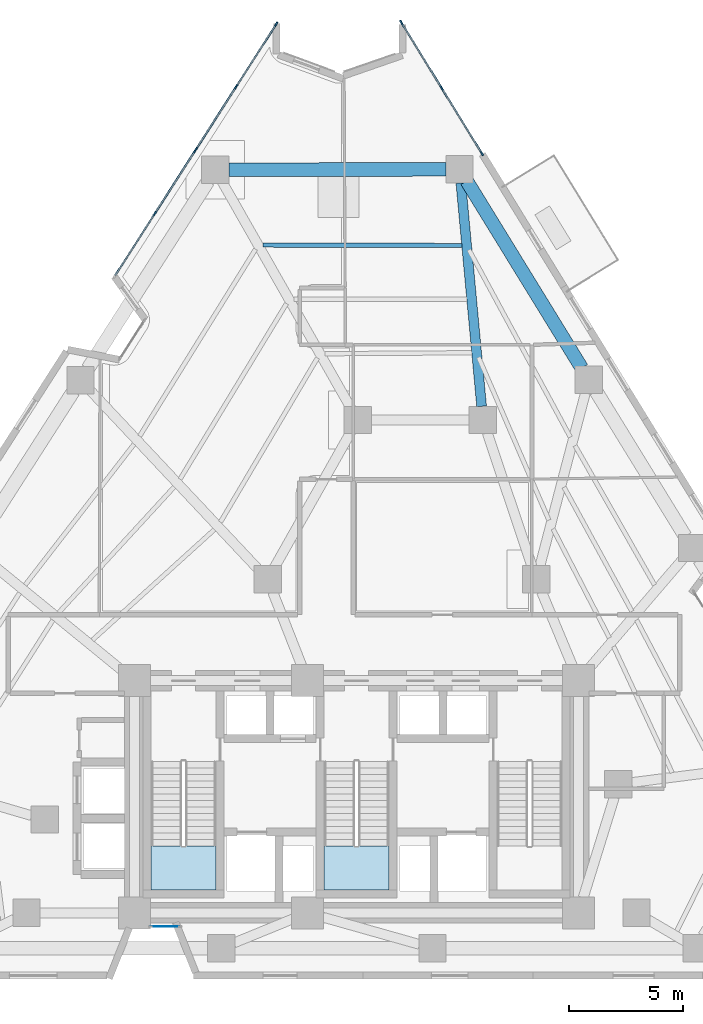
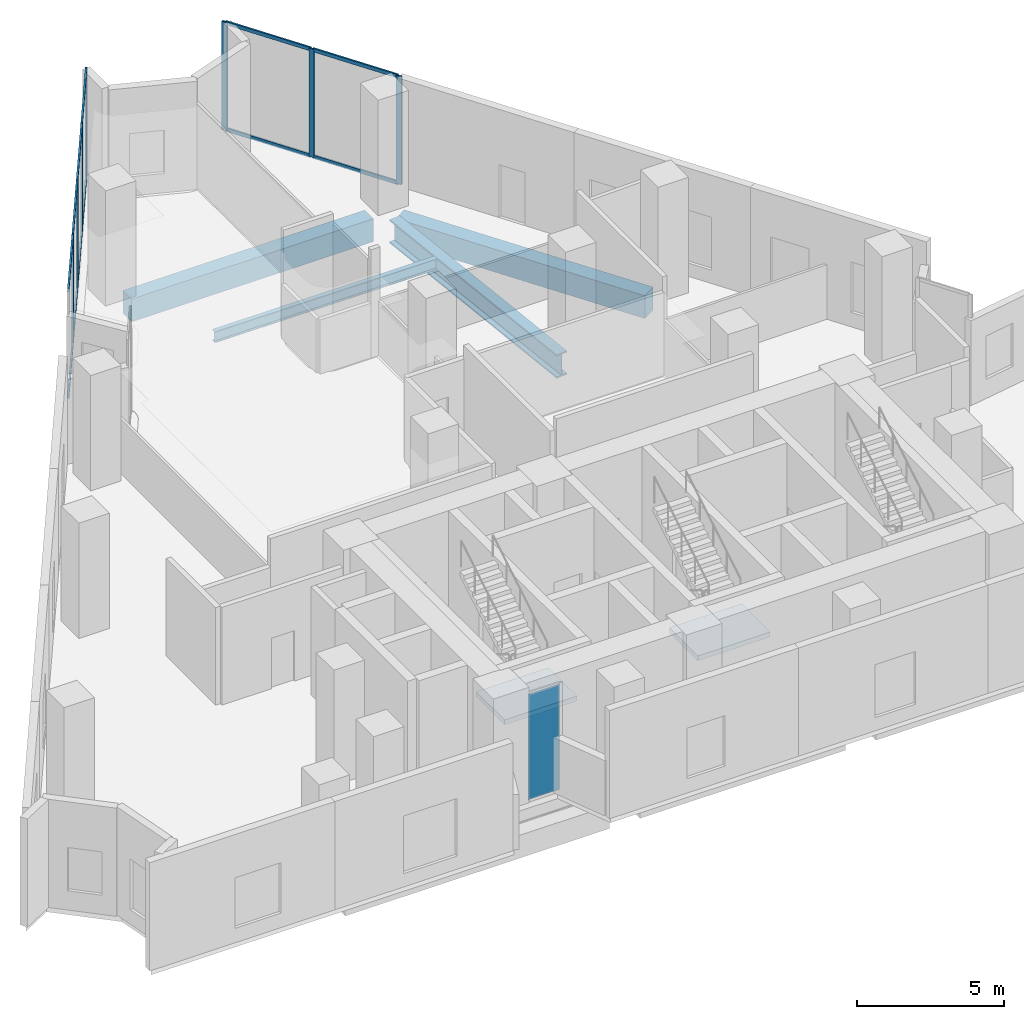
# One storey, part 5 of 13: 20 members, 4 beams, 2 slabs, 1 plate, 6 elements without a shape of their own.
"""IFC4 building model written with IfcOpenShell, lengths in metres."""

from ifc_helpers import new_model, si_unit, direction, frame, origin, origin_2d, place, context, subcontext, project, spatial, polyline, rectangle, i_section, outline, extrude, material, layer, layer_set, material_profile, profile_set, type_object, element, aggregate, save


model = new_model("IFC4")

# Units and contexts
model_context = context("Model", 3, precision=1e-05, world=origin(), true_north=direction((0.0, 1.0)))
body_context = subcontext(model_context, "Body", "Model", "MODEL_VIEW")
ifc_project = project(units=[si_unit("LENGTHUNIT", "METRE"), si_unit("AREAUNIT", "SQUARE_METRE"), si_unit("VOLUMEUNIT", "CUBIC_METRE"), si_unit("PLANEANGLEUNIT", "RADIAN"), si_unit("MASSUNIT", "GRAM", prefix="KILO")], contexts=[model_context])

# Site, building, storey
site_placement = place(None, origin())
site = spatial("IfcSite", under=ifc_project, at=site_placement, CompositionType="ELEMENT")
building_placement = place(site_placement, origin())
building = spatial("IfcBuilding", under=site, at=building_placement, Name="Almagre Mirador Tower", CompositionType="ELEMENT")
storey_placement = place(building_placement, frame((0.0, 0.0, 100.199951171875)))
storey = spatial("IfcBuildingStorey", under=building, at=storey_placement, Name="L25", CompositionType="ELEMENT", Elevation=100.199951171875)

# Beams
ifc_material_1 = material(Name="Steel ASTM A992 Grade 50", Category="steel")
ifc_material_profile_1 = material_profile(ifc_material_1, i_section(OverallWidth=0.19091796875, OverallDepth=0.4599609375, WebThickness=0.010009765625, FlangeThickness=0.01611328125, FilletRadius=0.01611328125, at=origin_2d()), Name="W18X55")
ifc_profile_set_1 = profile_set([ifc_material_profile_1], Name="Steel ASTM A992 Grade 50")
beam_type_1 = type_object("IfcBeamType", Name="BM-JST-W18X55", PredefinedType="JOIST", material=ifc_profile_set_1)
beam_1_placement = place(storey_placement, frame((41.923095703125, 33.86328125, -0.530029296875), z_axis=(-0.999997681519, 0.00215335929, 0.0), x_axis=(-0.00215335929, -0.999997681519, 0.0)))
element("IfcBeam", 1, at=beam_1_placement, inside=storey, type_object=beam_type_1, Name="L25 secondary floor joist PC08-PC09.1", PredefinedType="JOIST", context=body_context, shape_type="SweptSolid", body=[
    extrude(i_section(OverallWidth=0.19091796875, OverallDepth=0.4599609375, WebThickness=0.010009765625, FlangeThickness=0.01611328125, FilletRadius=0.01611328125, at=origin_2d()), origin(), (0.0, 0.0, 1.0), 8.72998046875),
])
ifc_material_2 = material(Name="Precast concrete C50/60", Category="concrete")
ifc_material_profile_2 = material_profile(ifc_material_2, rectangle(XDim=0.60009765625, YDim=0.949951171875, at=origin_2d()), Name="RC600X950")
ifc_profile_set_2 = profile_set([ifc_material_profile_2], Name="Precast concrete C50/60")
beam_type_2 = type_object("IfcBeamType", Name="BM-SPN-RC600X950", PredefinedType="SPANDREL", material=ifc_profile_set_2)
beam_2_placement = place(storey_placement, frame((47.19189453125, 28.47900390625, -0.77490234375), z_axis=(-0.523685040843, 0.851911954369, 0.0), x_axis=(-0.851911954369, -0.523685040843, 0.0)))
element("IfcBeam", 2, at=beam_2_placement, inside=storey, type_object=beam_type_2, Name="L25 perimeter spandrel beam PC07-PC08", PredefinedType="SPANDREL", context=body_context, shape_type="SweptSolid", body=[
    extrude(rectangle(XDim=0.60009765625, YDim=0.949951171875, at=origin_2d()), origin(), (0.0, 0.0, 1.0), 9.646484375),
])
beam_3_placement = place(storey_placement, frame((41.22607421875, 37.206787109375, -0.77490234375), z_axis=(-0.999998482053, -0.001742380833, 0.0), x_axis=(0.001742380833, -0.999998482053, 0.0)))
element("IfcBeam", 3, at=beam_3_placement, inside=storey, type_object=beam_type_2, Name="L25 perimeter spandrel beam PC08-PC09", PredefinedType="SPANDREL", context=body_context, shape_type="SweptSolid", body=[
    extrude(rectangle(XDim=0.60009765625, YDim=0.949951171875, at=origin_2d()), origin(), (0.0, 0.0, 1.0), 9.528076171875),
])
ifc_material_3 = material(Name="Steel ASTM A992 Grade 50", Category="steel")
ifc_material_profile_3 = material_profile(ifc_material_3, i_section(OverallWidth=0.427978515625, OverallDepth=0.97509765625, WebThickness=0.031005859375, FlangeThickness=0.055908203125, FilletRadius=0.028076171875, at=origin_2d()), Name="W36X395")
ifc_profile_set_3 = profile_set([ifc_material_profile_3], Name="Steel ASTM A992 Grade 50")
beam_type_3 = type_object("IfcBeamType", Name="BM-STL-W36X395", PredefinedType="BEAM", material=ifc_profile_set_3)
beam_4_placement = place(storey_placement, frame((41.881591796875, 36.610595703125, -0.787353515625), z_axis=(0.092621655493, -0.99570137538, 0.0), x_axis=(0.99570137538, 0.092621655493, 0.0)))
element("IfcBeam", 4, at=beam_4_placement, inside=storey, type_object=beam_type_3, Name="L25 radial floor girder PC08-MC6", PredefinedType="BEAM", context=body_context, shape_type="SweptSolid", body=[
    extrude(i_section(OverallWidth=0.427978515625, OverallDepth=0.97509765625, WebThickness=0.031005859375, FlangeThickness=0.055908203125, FilletRadius=0.028076171875, at=origin_2d()), origin(), (0.0, 0.0, 1.0), 9.855712890625),
])

# Curtain wall, members
ifc_material_4 = material(Name="Black anodized aluminium", Category="aluminium")
ifc_layer_1 = layer(ifc_material_4, 0.22998046875)
ifc_layer_set_1 = layer_set([ifc_layer_1], Name="Black anodized aluminium")
curtain_wall_type_1 = type_object("IfcCurtainWallType", Name="CW-SKY-SYS", PredefinedType="NOTDEFINED", material=ifc_layer_set_1)
curtain_wall_1_placement = place(storey_placement, origin())
curtain_wall_1 = element("IfcCurtainWall", 5, at=curtain_wall_1_placement, inside=storey, type_object=curtain_wall_type_1, Name="L25 curtain wall run 02", PredefinedType="NOTDEFINED")
ifc_material_5 = material(Name="Black anodized aluminium", Category="aluminium")
ifc_material_profile_4 = material_profile(ifc_material_5, rectangle(XDim=0.070068359375, YDim=0.2099609375, at=origin_2d()), Name="CWM70X210")
ifc_profile_set_4 = profile_set([ifc_material_profile_4], Name="Black anodized aluminium")
member_type_1 = type_object("IfcMemberType", Name="MBR-CWM70X210", PredefinedType="MULLION", material=ifc_profile_set_4)
member_1_placement = place(storey_placement, frame((28.446044921875, 35.273681640625, 0.0), z_axis=(0.0, 0.0, 1.0), x_axis=(-0.841991035603, 0.539491516118, 0.0)))
member_1 = element("IfcMember", 6, at=member_1_placement, type_object=member_type_1, Name="CW-5 mullion 2", PredefinedType="MULLION", context=body_context, shape_type="SweptSolid", body=[
    extrude(rectangle(XDim=0.070068359375, YDim=0.2099609375, at=origin_2d()), origin(), (0.0, 0.0, 1.0), 4.5),
])
member_2_placement = place(storey_placement, frame((30.210205078125, 38.027099609375, 0.0), z_axis=(0.0, 0.0, 1.0), x_axis=(-0.841991035603, 0.539491516118, 0.0)))
member_2 = element("IfcMember", 7, at=member_2_placement, type_object=member_type_1, Name="CW-5 mullion 3", PredefinedType="MULLION", context=body_context, shape_type="SweptSolid", body=[
    extrude(rectangle(XDim=0.070068359375, YDim=0.2099609375, at=origin_2d()), origin(), (0.0, 0.0, 1.0), 4.5),
])

curtain_wall_2_placement = place(storey_placement, origin())
curtain_wall_2 = element("IfcCurtainWall", 8, at=curtain_wall_2_placement, inside=storey, type_object=curtain_wall_type_1, Name="L25 curtain wall run 03", PredefinedType="NOTDEFINED")
member_3_placement = place(storey_placement, frame((30.247802734375, 38.0859375, 0.0), z_axis=(0.0, 0.0, 1.0), x_axis=(-0.841991035603, 0.539491516118, 0.0)))
member_3 = element("IfcMember", 9, at=member_3_placement, type_object=member_type_1, Name="CW-5 mullion 1", PredefinedType="MULLION", context=body_context, shape_type="SweptSolid", body=[
    extrude(rectangle(XDim=0.070068359375, YDim=0.2099609375, at=origin_2d()), origin(), (0.0, 0.0, 1.0), 4.5),
])
member_4_placement = place(storey_placement, frame((32.011962890625, 40.83935546875, 0.0), z_axis=(0.0, 0.0, 1.0), x_axis=(-0.841991035603, 0.539491516118, 0.0)))
member_4 = element("IfcMember", 10, at=member_4_placement, type_object=member_type_1, Name="CW-5 mullion 2", PredefinedType="MULLION", context=body_context, shape_type="SweptSolid", body=[
    extrude(rectangle(XDim=0.070068359375, YDim=0.2099609375, at=origin_2d()), origin(), (0.0, 0.0, 1.0), 4.5),
])
member_5_placement = place(storey_placement, frame((33.776123046875, 43.592529296875, 0.0), z_axis=(0.0, 0.0, 1.0), x_axis=(-0.841991035603, 0.539491516118, 0.0)))
member_5 = element("IfcMember", 11, at=member_5_placement, type_object=member_type_1, Name="CW-5 mullion 3", PredefinedType="MULLION", context=body_context, shape_type="SweptSolid", body=[
    extrude(rectangle(XDim=0.070068359375, YDim=0.2099609375, at=origin_2d()), origin(), (0.0, 0.0, 1.0), 4.5),
])

curtain_wall_3_placement = place(storey_placement, origin())
curtain_wall_3 = element("IfcCurtainWall", 12, at=curtain_wall_3_placement, inside=storey, type_object=curtain_wall_type_1, Name="L25 curtain wall run 04", PredefinedType="NOTDEFINED")
member_6_placement = place(storey_placement, frame((39.26806640625, 43.659423828125, 0.0), z_axis=(0.0, 0.0, 1.0), x_axis=(0.851902639419, 0.523700193766, 0.0)))
member_6 = element("IfcMember", 13, at=member_6_placement, type_object=member_type_1, Name="CW-5 mullion 1", PredefinedType="MULLION", context=body_context, shape_type="SweptSolid", body=[
    extrude(rectangle(XDim=0.070068359375, YDim=0.2099609375, at=origin_2d()), origin(), (0.0, 0.0, 1.0), 4.5),
])
member_7_placement = place(storey_placement, frame((41.037353515625, 40.78125, 0.0), z_axis=(0.0, 0.0, 1.0), x_axis=(0.851902639419, 0.523700193766, 0.0)))
member_7 = element("IfcMember", 14, at=member_7_placement, type_object=member_type_1, Name="CW-5 mullion 2", PredefinedType="MULLION", context=body_context, shape_type="SweptSolid", body=[
    extrude(rectangle(XDim=0.070068359375, YDim=0.2099609375, at=origin_2d()), origin(), (0.0, 0.0, 1.0), 4.5),
])
member_8_placement = place(storey_placement, frame((42.806884765625, 37.903076171875, 0.0), z_axis=(0.0, 0.0, 1.0), x_axis=(0.851902639419, 0.523700193766, 0.0)))
member_8 = element("IfcMember", 15, at=member_8_placement, type_object=member_type_1, Name="CW-5 mullion 3", PredefinedType="MULLION", context=body_context, shape_type="SweptSolid", body=[
    extrude(rectangle(XDim=0.070068359375, YDim=0.2099609375, at=origin_2d()), origin(), (0.0, 0.0, 1.0), 4.5),
])

# Member
ifc_material_6 = material(Name="Black anodized aluminium", Category="aluminium")
ifc_material_profile_5 = material_profile(ifc_material_6, rectangle(XDim=0.06494140625, YDim=0.14990234375, at=origin_2d()), Name="CWT65X150")
ifc_profile_set_5 = profile_set([ifc_material_profile_5], Name="Black anodized aluminium")
member_type_2 = type_object("IfcMemberType", Name="MBR-CWT65X150", PredefinedType="USERDEFINED", material=ifc_profile_set_5)
member_9_placement = place(storey_placement, frame((26.70068359375, 32.550048828125, 0.032470703125), z_axis=(0.539484465172, 0.841995553336, 0.0), x_axis=(-0.841995553336, 0.539484465172, 0.0)))
member_9 = element("IfcMember", 16, at=member_9_placement, type_object=member_type_2, Name="CW-5 transom 1.1", ObjectType="TRANSOM", PredefinedType="USERDEFINED", context=body_context, shape_type="SweptSolid", body=[
    extrude(rectangle(XDim=0.06494140625, YDim=0.14990234375, at=origin_2d()), origin(), (0.0, 0.0, 1.0), 3.199951171875),
])

member_10_placement = place(storey_placement, frame((26.70068359375, 32.550048828125, 4.467529296875), z_axis=(0.539484465172, 0.841995553336, 0.0), x_axis=(-0.841995553336, 0.539484465172, 0.0)))
member_10 = element("IfcMember", 17, at=member_10_placement, type_object=member_type_2, Name="CW-5 transom 1.2", ObjectType="TRANSOM", PredefinedType="USERDEFINED", context=body_context, shape_type="SweptSolid", body=[
    extrude(rectangle(XDim=0.06494140625, YDim=0.14990234375, at=origin_2d()), origin(), (0.0, 0.0, 1.0), 3.199951171875),
])

member_11_placement = place(storey_placement, frame((28.46484375, 35.30322265625, 0.032470703125), z_axis=(0.539484465172, 0.841995553336, 0.0), x_axis=(-0.841995553336, 0.539484465172, 0.0)))
member_11 = element("IfcMember", 18, at=member_11_placement, type_object=member_type_2, Name="CW-5 transom 2.1", ObjectType="TRANSOM", PredefinedType="USERDEFINED", context=body_context, shape_type="SweptSolid", body=[
    extrude(rectangle(XDim=0.06494140625, YDim=0.14990234375, at=origin_2d()), origin(), (0.0, 0.0, 1.0), 3.199951171875),
])

member_12_placement = place(storey_placement, frame((28.46484375, 35.30322265625, 4.467529296875), z_axis=(0.539484465172, 0.841995553336, 0.0), x_axis=(-0.841995553336, 0.539484465172, 0.0)))
member_12 = element("IfcMember", 19, at=member_12_placement, type_object=member_type_2, Name="CW-5 transom 2.2", ObjectType="TRANSOM", PredefinedType="USERDEFINED", context=body_context, shape_type="SweptSolid", body=[
    extrude(rectangle(XDim=0.06494140625, YDim=0.14990234375, at=origin_2d()), origin(), (0.0, 0.0, 1.0), 3.199951171875),
])

aggregate(curtain_wall_1, [member_1, member_2, member_9, member_10, member_11, member_12])

member_13_placement = place(storey_placement, frame((30.266845703125, 38.115478515625, 0.032470703125), z_axis=(0.539484465172, 0.841995553336, 0.0), x_axis=(-0.841995553336, 0.539484465172, 0.0)))
member_13 = element("IfcMember", 20, at=member_13_placement, type_object=member_type_2, Name="CW-5 transom 1.1", ObjectType="TRANSOM", PredefinedType="USERDEFINED", context=body_context, shape_type="SweptSolid", body=[
    extrude(rectangle(XDim=0.06494140625, YDim=0.14990234375, at=origin_2d()), origin(), (0.0, 0.0, 1.0), 3.199951171875),
])

member_14_placement = place(storey_placement, frame((30.266845703125, 38.115478515625, 4.467529296875), z_axis=(0.539484465172, 0.841995553336, 0.0), x_axis=(-0.841995553336, 0.539484465172, 0.0)))
member_14 = element("IfcMember", 21, at=member_14_placement, type_object=member_type_2, Name="CW-5 transom 1.2", ObjectType="TRANSOM", PredefinedType="USERDEFINED", context=body_context, shape_type="SweptSolid", body=[
    extrude(rectangle(XDim=0.06494140625, YDim=0.14990234375, at=origin_2d()), origin(), (0.0, 0.0, 1.0), 3.199951171875),
])

member_15_placement = place(storey_placement, frame((32.03076171875, 40.86865234375, 0.032470703125), z_axis=(0.539538551922, 0.841960896354, 0.0), x_axis=(-0.841960896354, 0.539538551922, 0.0)))
member_15 = element("IfcMember", 22, at=member_15_placement, type_object=member_type_2, Name="CW-5 transom 2.1", ObjectType="TRANSOM", PredefinedType="USERDEFINED", context=body_context, shape_type="SweptSolid", body=[
    extrude(rectangle(XDim=0.06494140625, YDim=0.14990234375, at=origin_2d()), origin(), (0.0, 0.0, 1.0), 3.199951171875),
])

member_16_placement = place(storey_placement, frame((32.03076171875, 40.86865234375, 4.467529296875), z_axis=(0.539538551922, 0.841960896354, 0.0), x_axis=(-0.841960896354, 0.539538551922, 0.0)))
member_16 = element("IfcMember", 23, at=member_16_placement, type_object=member_type_2, Name="CW-5 transom 2.2", ObjectType="TRANSOM", PredefinedType="USERDEFINED", context=body_context, shape_type="SweptSolid", body=[
    extrude(rectangle(XDim=0.06494140625, YDim=0.14990234375, at=origin_2d()), origin(), (0.0, 0.0, 1.0), 3.199951171875),
])

aggregate(curtain_wall_2, [member_3, member_4, member_5, member_13, member_14, member_15, member_16])

member_17_placement = place(storey_placement, frame((39.286376953125, 43.629638671875, 0.032470703125), z_axis=(0.523689777149, -0.851909042862, 0.0), x_axis=(0.851909042862, 0.523689777149, 0.0)))
member_17 = element("IfcMember", 24, at=member_17_placement, type_object=member_type_2, Name="CW-5 transom 1.1", ObjectType="TRANSOM", PredefinedType="USERDEFINED", context=body_context, shape_type="SweptSolid", body=[
    extrude(rectangle(XDim=0.06494140625, YDim=0.14990234375, at=origin_2d()), origin(), (0.0, 0.0, 1.0), 3.30859375),
])

member_18_placement = place(storey_placement, frame((39.286376953125, 43.629638671875, 4.467529296875), z_axis=(0.523689777149, -0.851909042862, 0.0), x_axis=(0.851909042862, 0.523689777149, 0.0)))
member_18 = element("IfcMember", 25, at=member_18_placement, type_object=member_type_2, Name="CW-5 transom 1.2", ObjectType="TRANSOM", PredefinedType="USERDEFINED", context=body_context, shape_type="SweptSolid", body=[
    extrude(rectangle(XDim=0.06494140625, YDim=0.14990234375, at=origin_2d()), origin(), (0.0, 0.0, 1.0), 3.30859375),
])

member_19_placement = place(storey_placement, frame((41.0556640625, 40.75146484375, 0.032470703125), z_axis=(0.523689777149, -0.851909042862, 0.0), x_axis=(0.851909042862, 0.523689777149, 0.0)))
member_19 = element("IfcMember", 26, at=member_19_placement, type_object=member_type_2, Name="CW-5 transom 2.1", ObjectType="TRANSOM", PredefinedType="USERDEFINED", context=body_context, shape_type="SweptSolid", body=[
    extrude(rectangle(XDim=0.06494140625, YDim=0.14990234375, at=origin_2d()), origin(), (0.0, 0.0, 1.0), 3.30859375),
])

member_20_placement = place(storey_placement, frame((41.0556640625, 40.75146484375, 4.467529296875), z_axis=(0.523689777149, -0.851909042862, 0.0), x_axis=(0.851909042862, 0.523689777149, 0.0)))
member_20 = element("IfcMember", 27, at=member_20_placement, type_object=member_type_2, Name="CW-5 transom 2.2", ObjectType="TRANSOM", PredefinedType="USERDEFINED", context=body_context, shape_type="SweptSolid", body=[
    extrude(rectangle(XDim=0.06494140625, YDim=0.14990234375, at=origin_2d()), origin(), (0.0, 0.0, 1.0), 3.30859375),
])

aggregate(curtain_wall_3, [member_6, member_7, member_8, member_17, member_18, member_19, member_20])

# Curtain wall, plate
ifc_material_7 = material(Name="Black anodized aluminium", Category="aluminium")
ifc_layer_2 = layer(ifc_material_7, 0.169921875)
ifc_layer_set_2 = layer_set([ifc_layer_2], Name="Black anodized aluminium")
curtain_wall_type_2 = type_object("IfcCurtainWallType", Name="CW-CRS-SYS", PredefinedType="NOTDEFINED", material=ifc_layer_set_2)
curtain_wall_4_placement = place(storey_placement, origin())
curtain_wall_4 = element("IfcCurtainWall", 28, at=curtain_wall_4_placement, inside=storey, type_object=curtain_wall_type_2, Name="L25 vertical crease curtain wall 06", PredefinedType="NOTDEFINED")
ifc_material_8 = material(Name="Dark solar-control laminated hurricane glass", Category="glass")
ifc_layer_3 = layer(ifc_material_8, 0.028076171875)
ifc_layer_set_3 = layer_set([ifc_layer_3], Name="Dark solar-control laminated hurricane glass")
plate_type = type_object("IfcPlateType", Name="PLT-GLZ-28", PredefinedType="CURTAIN_PANEL", material=ifc_layer_set_3)
plate_placement = place(storey_placement, frame((28.890380859375, 3.949951171875, 0.06005859375), z_axis=(0.0, 0.0, 1.0), x_axis=(-1.0, 0.0, 0.0)))
plate = element("IfcPlate", 29, at=plate_placement, type_object=plate_type, Name="CW-4 panel 1.1", PredefinedType="CURTAIN_PANEL", context=body_context, shape_type="SweptSolid", body=[
    extrude(rectangle(XDim=1.237060546875, YDim=0.028076171875, at=origin_2d()), origin(), (0.0, 0.0, 1.0), 4.3798828125),
])
aggregate(curtain_wall_4, [plate])

# Stair, slab
ifc_material_9 = material(Name="Concrete C45/55", Category="concrete")
stair_type = type_object("IfcStairType", Name="STR-DL-4800", PredefinedType="HALF_TURN_STAIR", material=ifc_material_9)
stair_1_placement = place(storey_placement, origin())
stair_1 = element("IfcStair", 30, at=stair_1_placement, inside=storey, type_object=stair_type, Name="L25 Protected exit stair ST-1", PredefinedType="HALF_TURN_STAIR")
ifc_material_10 = material(Name="Concrete C45/55", Category="concrete")
ifc_layer_4 = layer(ifc_material_10, 0.199951171875)
ifc_layer_set_4 = layer_set([ifc_layer_4], Name="Concrete C45/55")
slab_type = type_object("IfcSlabType", Name="SLB-LND-200", PredefinedType="LANDING", material=ifc_layer_set_4)
slab_1_placement = place(storey_placement, frame((0.0, 0.0, 2.199951171875)))
slab_1 = element("IfcSlab", 31, at=slab_1_placement, type_object=slab_type, Name="ST-1 landing 1", PredefinedType="LANDING", context=body_context, shape_type="SweptSolid", body=[
    extrude(outline(polyline([(28.27490234375, 7.4951171875), (28.27490234375, 5.550048828125), (31.125, 5.550048828125), (31.125, 7.4951171875), (28.27490234375, 7.4951171875)])), origin(), (0.0, 0.0, 1.0), 0.2001953125),
])
aggregate(stair_1, [slab_1])

stair_2_placement = place(storey_placement, origin())
stair_2 = element("IfcStair", 32, at=stair_2_placement, inside=storey, type_object=stair_type, Name="L25 Protected exit stair ST-2", PredefinedType="HALF_TURN_STAIR")
slab_2_placement = place(storey_placement, frame((0.0, 0.0, 2.199951171875)))
slab_2 = element("IfcSlab", 33, at=slab_2_placement, type_object=slab_type, Name="ST-2 landing 1", PredefinedType="LANDING", context=body_context, shape_type="SweptSolid", body=[
    extrude(outline(polyline([(35.875, 7.4951171875), (35.875, 5.550048828125), (38.72509765625, 5.550048828125), (38.72509765625, 7.4951171875), (35.875, 7.4951171875)])), origin(), (0.0, 0.0, 1.0), 0.2001953125),
])
aggregate(stair_2, [slab_2])

save(model, "model.ifc")
